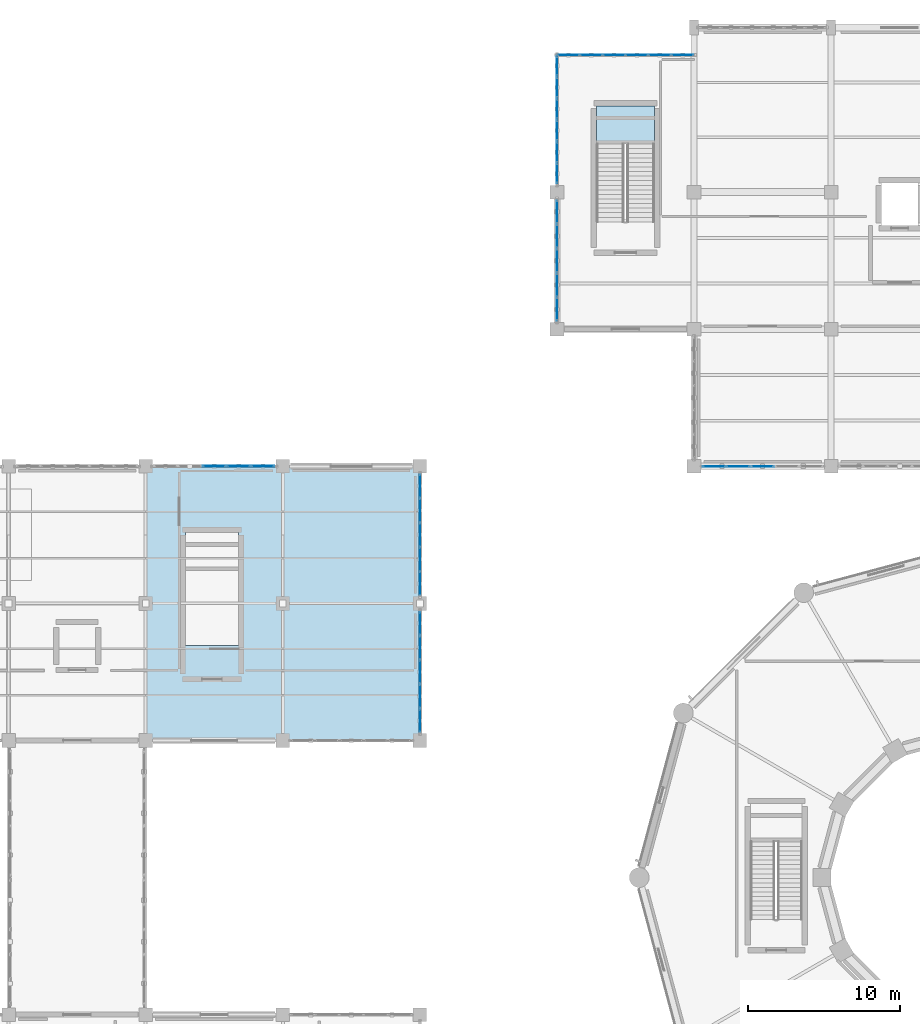
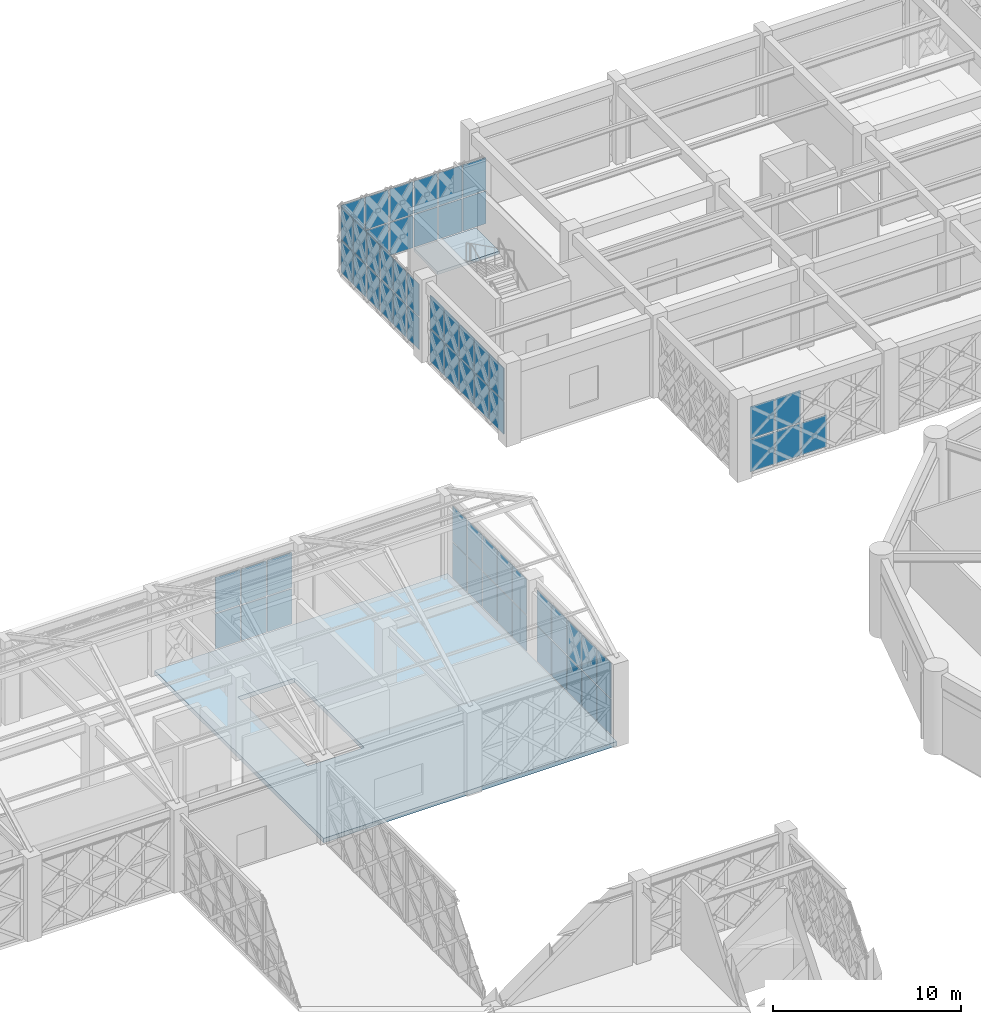
# One storey, part 131 of 166: 65 plates, 2 slabs, 8 elements without a shape of their own.
"""IFC4 building model written with IfcOpenShell, lengths in metres."""

from ifc_helpers import new_model, si_unit, direction, frame, origin, origin_2d, place, context, subcontext, project, spatial, polyline, rectangle, outline, extrude, material, layer, layer_set, type_object, element, aggregate, save


model = new_model("IFC4")

# Units and contexts
model_context = context("Model", 3, precision=1e-05, world=origin(), true_north=direction((0.0, 1.0)))
body_context = subcontext(model_context, "Body", "Model", "MODEL_VIEW")
ifc_project = project(units=[si_unit("LENGTHUNIT", "METRE"), si_unit("AREAUNIT", "SQUARE_METRE"), si_unit("VOLUMEUNIT", "CUBIC_METRE"), si_unit("PLANEANGLEUNIT", "RADIAN"), si_unit("MASSUNIT", "GRAM", prefix="KILO")], contexts=[model_context])

# Site, building, storey
site_placement = place(None, origin())
site = spatial("IfcSite", under=ifc_project, at=site_placement, CompositionType="ELEMENT")
building_placement = place(site_placement, origin())
building = spatial("IfcBuilding", under=site, at=building_placement, Name="Haizhuo Lancet Aquarium", CompositionType="ELEMENT")
storey_placement = place(building_placement, frame((0.0, 0.0, 5.39990234375)))
storey = spatial("IfcBuildingStorey", under=building, at=storey_placement, Name="L01", CompositionType="ELEMENT", Elevation=5.39990234375)

# Curtain wall, plates
ifc_material_1 = material(Name="Aluminium 6063-T6", Category="aluminium")
curtain_wall_type_1 = type_object("IfcCurtainWallType", Name="CWD-8010x4800", PredefinedType="NOTDEFINED", material=ifc_material_1)
curtain_wall_1_placement = place(storey_placement, origin())
curtain_wall_1 = element("IfcCurtainWall", 1, at=curtain_wall_1_placement, inside=storey, type_object=curtain_wall_type_1, Name="L01 curtain wall CW-V2-L01-025", PredefinedType="NOTDEFINED")
ifc_material_2 = material(Name="Laminated Low-E Glass", Category="glass")
ifc_layer_1 = layer(ifc_material_2, 0.028076171875)
ifc_layer_set_1 = layer_set([ifc_layer_1], Name="Laminated Low-E Glass")
plate_type_1 = type_object("IfcPlateType", Name="CW-PNL-1", PredefinedType="CURTAIN_PANEL", material=ifc_layer_set_1)
plate_1_placement = place(storey_placement, frame((-36.0, 25.68798828125, 0.064453125), z_axis=(0.0, 0.0, 1.0), x_axis=(0.0, -1.0, 0.0)))
plate_1 = element("IfcPlate", 2, at=plate_1_placement, type_object=plate_type_1, Name="CWD-80x48 panel 1.1", PredefinedType="CURTAIN_PANEL", context=body_context, shape_type="SweptSolid", body=[
    extrude(rectangle(XDim=1.50390625, YDim=0.028076171875, at=origin_2d()), origin(), (0.0, 0.0, 1.0), 2.302978515625),
])
plate_2_placement = place(storey_placement, frame((-36.0, 25.68798828125, 2.43310546875), z_axis=(0.0, 0.0, 1.0), x_axis=(0.0, -1.0, 0.0)))
plate_2 = element("IfcPlate", 3, at=plate_2_placement, type_object=plate_type_1, Name="CWD-80x48 panel 1.2", PredefinedType="CURTAIN_PANEL", context=body_context, shape_type="SweptSolid", body=[
    extrude(rectangle(XDim=1.50390625, YDim=0.028076171875, at=origin_2d()), origin(), (0.0, 0.0, 1.0), 2.302001953125),
])
plate_3_placement = place(storey_placement, frame((-36.0, 24.10205078125, 0.064453125), z_axis=(0.0, 0.0, 1.0), x_axis=(0.0, -1.0, 0.0)))
plate_3 = element("IfcPlate", 4, at=plate_3_placement, type_object=plate_type_1, Name="CWD-80x48 panel 2.1", PredefinedType="CURTAIN_PANEL", context=body_context, shape_type="SweptSolid", body=[
    extrude(rectangle(XDim=1.537109375, YDim=0.028076171875, at=origin_2d()), origin(), (0.0, 0.0, 1.0), 2.302978515625),
])
plate_4_placement = place(storey_placement, frame((-36.0, 24.10205078125, 2.43310546875), z_axis=(0.0, 0.0, 1.0), x_axis=(0.0, -1.0, 0.0)))
plate_4 = element("IfcPlate", 5, at=plate_4_placement, type_object=plate_type_1, Name="CWD-80x48 panel 2.2", PredefinedType="CURTAIN_PANEL", context=body_context, shape_type="SweptSolid", body=[
    extrude(rectangle(XDim=1.537109375, YDim=0.028076171875, at=origin_2d()), origin(), (0.0, 0.0, 1.0), 2.302001953125),
])
plate_5_placement = place(storey_placement, frame((-36.0, 22.5, 0.064453125), z_axis=(0.0, 0.0, 1.0), x_axis=(0.0, -1.0, 0.0)))
plate_5 = element("IfcPlate", 6, at=plate_5_placement, type_object=plate_type_1, Name="CWD-80x48 panel 3.1", PredefinedType="CURTAIN_PANEL", context=body_context, shape_type="SweptSolid", body=[
    extrude(rectangle(XDim=1.537109375, YDim=0.028076171875, at=origin_2d()), origin(), (0.0, 0.0, 1.0), 2.302978515625),
])
plate_6_placement = place(storey_placement, frame((-36.0, 22.5, 2.43310546875), z_axis=(0.0, 0.0, 1.0), x_axis=(0.0, -1.0, 0.0)))
plate_6 = element("IfcPlate", 7, at=plate_6_placement, type_object=plate_type_1, Name="CWD-80x48 panel 3.2", PredefinedType="CURTAIN_PANEL", context=body_context, shape_type="SweptSolid", body=[
    extrude(rectangle(XDim=1.537109375, YDim=0.028076171875, at=origin_2d()), origin(), (0.0, 0.0, 1.0), 2.302001953125),
])
plate_7_placement = place(storey_placement, frame((-36.0, 20.89794921875, 0.064453125), z_axis=(0.0, 0.0, 1.0), x_axis=(0.0, -1.0, 0.0)))
plate_7 = element("IfcPlate", 8, at=plate_7_placement, type_object=plate_type_1, Name="CWD-80x48 panel 4.1", PredefinedType="CURTAIN_PANEL", context=body_context, shape_type="SweptSolid", body=[
    extrude(rectangle(XDim=1.537109375, YDim=0.028076171875, at=origin_2d()), origin(), (0.0, 0.0, 1.0), 2.302978515625),
])
plate_8_placement = place(storey_placement, frame((-36.0, 20.89794921875, 2.43310546875), z_axis=(0.0, 0.0, 1.0), x_axis=(0.0, -1.0, 0.0)))
plate_8 = element("IfcPlate", 9, at=plate_8_placement, type_object=plate_type_1, Name="CWD-80x48 panel 4.2", PredefinedType="CURTAIN_PANEL", context=body_context, shape_type="SweptSolid", body=[
    extrude(rectangle(XDim=1.537109375, YDim=0.028076171875, at=origin_2d()), origin(), (0.0, 0.0, 1.0), 2.302001953125),
])
plate_9_placement = place(storey_placement, frame((-36.0, 19.31201171875, 0.064453125), z_axis=(0.0, 0.0, 1.0), x_axis=(0.0, -1.0, 0.0)))
plate_9 = element("IfcPlate", 10, at=plate_9_placement, type_object=plate_type_1, Name="CWD-80x48 panel 5.1", PredefinedType="CURTAIN_PANEL", context=body_context, shape_type="SweptSolid", body=[
    extrude(rectangle(XDim=1.5048828125, YDim=0.028076171875, at=origin_2d()), origin(), (0.0, 0.0, 1.0), 2.302978515625),
])
plate_10_placement = place(storey_placement, frame((-36.0, 19.31201171875, 2.43310546875), z_axis=(0.0, 0.0, 1.0), x_axis=(0.0, -1.0, 0.0)))
plate_10 = element("IfcPlate", 11, at=plate_10_placement, type_object=plate_type_1, Name="CWD-80x48 panel 5.2", PredefinedType="CURTAIN_PANEL", context=body_context, shape_type="SweptSolid", body=[
    extrude(rectangle(XDim=1.5048828125, YDim=0.028076171875, at=origin_2d()), origin(), (0.0, 0.0, 1.0), 2.302001953125),
])
aggregate(curtain_wall_1, [plate_1, plate_2, plate_3, plate_4, plate_5, plate_6, plate_7, plate_8, plate_9, plate_10])

curtain_wall_type_2 = type_object("IfcCurtainWallType", Name="CWD-8510x4420", PredefinedType="NOTDEFINED", material=ifc_material_1)
curtain_wall_2_placement = place(storey_placement, origin())
curtain_wall_2 = element("IfcCurtainWall", 12, at=curtain_wall_2_placement, inside=storey, type_object=curtain_wall_type_2, Name="L01 curtain wall CW-V5-L01-129", PredefinedType="NOTDEFINED")
plate_11_placement = place(storey_placement, frame((-27.0, 46.22412109375, 0.080078125), z_axis=(0.0, 0.0, 1.0), x_axis=(0.0, 1.0, 0.0)))
plate_11 = element("IfcPlate", 13, at=plate_11_placement, type_object=plate_type_1, Name="CWD-85x44 panel 1.1", PredefinedType="CURTAIN_PANEL", context=body_context, shape_type="SweptSolid", body=[
    extrude(rectangle(XDim=1.298095703125, YDim=0.028076171875, at=origin_2d()), origin(), (0.0, 0.0, 1.0), 2.092041015625),
])
plate_12_placement = place(storey_placement, frame((-27.0, 46.22412109375, 2.25244140625), z_axis=(0.0, 0.0, 1.0), x_axis=(0.0, 1.0, 0.0)))
plate_12 = element("IfcPlate", 14, at=plate_12_placement, type_object=plate_type_1, Name="CWD-85x44 panel 1.2", PredefinedType="CURTAIN_PANEL", context=body_context, shape_type="SweptSolid", body=[
    extrude(rectangle(XDim=1.298095703125, YDim=0.028076171875, at=origin_2d()), origin(), (0.0, 0.0, 1.0), 2.093017578125),
])
plate_13_placement = place(storey_placement, frame((-27.0, 47.62109375, 0.080078125), z_axis=(0.0, 0.0, 1.0), x_axis=(0.0, 1.0, 0.0)))
plate_13 = element("IfcPlate", 15, at=plate_13_placement, type_object=plate_type_1, Name="CWD-85x44 panel 2.1", PredefinedType="CURTAIN_PANEL", context=body_context, shape_type="SweptSolid", body=[
    extrude(rectangle(XDim=1.337890625, YDim=0.028076171875, at=origin_2d()), origin(), (0.0, 0.0, 1.0), 2.092041015625),
])
plate_14_placement = place(storey_placement, frame((-27.0, 47.62109375, 2.25244140625), z_axis=(0.0, 0.0, 1.0), x_axis=(0.0, 1.0, 0.0)))
plate_14 = element("IfcPlate", 16, at=plate_14_placement, type_object=plate_type_1, Name="CWD-85x44 panel 2.2", PredefinedType="CURTAIN_PANEL", context=body_context, shape_type="SweptSolid", body=[
    extrude(rectangle(XDim=1.337890625, YDim=0.028076171875, at=origin_2d()), origin(), (0.0, 0.0, 1.0), 2.093017578125),
])
plate_15_placement = place(storey_placement, frame((-27.0, 49.0390625, 0.080078125), z_axis=(0.0, 0.0, 1.0), x_axis=(0.0, 1.0, 0.0)))
plate_15 = element("IfcPlate", 17, at=plate_15_placement, type_object=plate_type_1, Name="CWD-85x44 panel 3.1", PredefinedType="CURTAIN_PANEL", context=body_context, shape_type="SweptSolid", body=[
    extrude(rectangle(XDim=1.337890625, YDim=0.028076171875, at=origin_2d()), origin(), (0.0, 0.0, 1.0), 2.092041015625),
])
plate_16_placement = place(storey_placement, frame((-27.0, 49.0390625, 2.25244140625), z_axis=(0.0, 0.0, 1.0), x_axis=(0.0, 1.0, 0.0)))
plate_16 = element("IfcPlate", 18, at=plate_16_placement, type_object=plate_type_1, Name="CWD-85x44 panel 3.2", PredefinedType="CURTAIN_PANEL", context=body_context, shape_type="SweptSolid", body=[
    extrude(rectangle(XDim=1.337890625, YDim=0.028076171875, at=origin_2d()), origin(), (0.0, 0.0, 1.0), 2.093017578125),
])
plate_17_placement = place(storey_placement, frame((-27.0, 50.4560546875, 0.080078125), z_axis=(0.0, 0.0, 1.0), x_axis=(0.0, 1.0, 0.0)))
plate_17 = element("IfcPlate", 19, at=plate_17_placement, type_object=plate_type_1, Name="CWD-85x44 panel 4.1", PredefinedType="CURTAIN_PANEL", context=body_context, shape_type="SweptSolid", body=[
    extrude(rectangle(XDim=1.337890625, YDim=0.028076171875, at=origin_2d()), origin(), (0.0, 0.0, 1.0), 2.092041015625),
])
plate_18_placement = place(storey_placement, frame((-27.0, 50.4560546875, 2.25244140625), z_axis=(0.0, 0.0, 1.0), x_axis=(0.0, 1.0, 0.0)))
plate_18 = element("IfcPlate", 20, at=plate_18_placement, type_object=plate_type_1, Name="CWD-85x44 panel 4.2", PredefinedType="CURTAIN_PANEL", context=body_context, shape_type="SweptSolid", body=[
    extrude(rectangle(XDim=1.337890625, YDim=0.028076171875, at=origin_2d()), origin(), (0.0, 0.0, 1.0), 2.093017578125),
])
plate_19_placement = place(storey_placement, frame((-27.0, 51.8740234375, 0.080078125), z_axis=(0.0, 0.0, 1.0), x_axis=(0.0, 1.0, 0.0)))
plate_19 = element("IfcPlate", 21, at=plate_19_placement, type_object=plate_type_1, Name="CWD-85x44 panel 5.1", PredefinedType="CURTAIN_PANEL", context=body_context, shape_type="SweptSolid", body=[
    extrude(rectangle(XDim=1.337890625, YDim=0.028076171875, at=origin_2d()), origin(), (0.0, 0.0, 1.0), 2.092041015625),
])
plate_20_placement = place(storey_placement, frame((-27.0, 51.8740234375, 2.25244140625), z_axis=(0.0, 0.0, 1.0), x_axis=(0.0, 1.0, 0.0)))
plate_20 = element("IfcPlate", 22, at=plate_20_placement, type_object=plate_type_1, Name="CWD-85x44 panel 5.2", PredefinedType="CURTAIN_PANEL", context=body_context, shape_type="SweptSolid", body=[
    extrude(rectangle(XDim=1.337890625, YDim=0.028076171875, at=origin_2d()), origin(), (0.0, 0.0, 1.0), 2.093017578125),
])
plate_21_placement = place(storey_placement, frame((-27.0, 53.27099609375, 0.080078125), z_axis=(0.0, 0.0, 1.0), x_axis=(0.0, 1.0, 0.0)))
plate_21 = element("IfcPlate", 23, at=plate_21_placement, type_object=plate_type_1, Name="CWD-85x44 panel 6.1", PredefinedType="CURTAIN_PANEL", context=body_context, shape_type="SweptSolid", body=[
    extrude(rectangle(XDim=1.298095703125, YDim=0.028076171875, at=origin_2d()), origin(), (0.0, 0.0, 1.0), 2.092041015625),
])
plate_22_placement = place(storey_placement, frame((-27.0, 53.27099609375, 2.25244140625), z_axis=(0.0, 0.0, 1.0), x_axis=(0.0, 1.0, 0.0)))
plate_22 = element("IfcPlate", 24, at=plate_22_placement, type_object=plate_type_1, Name="CWD-85x44 panel 6.2", PredefinedType="CURTAIN_PANEL", context=body_context, shape_type="SweptSolid", body=[
    extrude(rectangle(XDim=1.298095703125, YDim=0.028076171875, at=origin_2d()), origin(), (0.0, 0.0, 1.0), 2.093017578125),
])
aggregate(curtain_wall_2, [plate_11, plate_12, plate_13, plate_14, plate_15, plate_16, plate_17, plate_18, plate_19, plate_20, plate_21, plate_22])

curtain_wall_type_3 = type_object("IfcCurtainWallType", Name="CWO-8010x4390", PredefinedType="NOTDEFINED", material=ifc_material_1)
curtain_wall_3_placement = place(storey_placement, origin())
curtain_wall_3 = element("IfcCurtainWall", 25, at=curtain_wall_3_placement, inside=storey, type_object=curtain_wall_type_3, Name="L01 curtain wall CW-V5-L01-141", PredefinedType="NOTDEFINED")
plate_23_placement = place(storey_placement, frame((-13.5, 27.0, 0.08056640625), z_axis=(0.0, 0.0, 1.0), x_axis=(-1.0, 0.0, 0.0)))
plate_23 = element("IfcPlate", 26, at=plate_23_placement, type_object=plate_type_1, Name="CWO-80x43 panel 3.1", PredefinedType="CURTAIN_PANEL", context=body_context, shape_type="SweptSolid", body=[
    extrude(rectangle(XDim=1.52197265625, YDim=0.028076171875, at=origin_2d()), origin(), (0.0, 0.0, 1.0), 2.074951171875),
])
plate_24_placement = place(storey_placement, frame((-15.10205078125, 27.0, 0.08056640625), z_axis=(0.0, 0.0, 1.0), x_axis=(-1.0, 0.0, 0.0)))
plate_24 = element("IfcPlate", 27, at=plate_24_placement, type_object=plate_type_1, Name="CWO-80x43 panel 4.1", PredefinedType="CURTAIN_PANEL", context=body_context, shape_type="SweptSolid", body=[
    extrude(rectangle(XDim=1.52197265625, YDim=0.028076171875, at=origin_2d()), origin(), (0.0, 0.0, 1.0), 2.074951171875),
])
plate_25_placement = place(storey_placement, frame((-15.10205078125, 27.0, 2.23486328125), z_axis=(0.0, 0.0, 1.0), x_axis=(-1.0, 0.0, 0.0)))
plate_25 = element("IfcPlate", 28, at=plate_25_placement, type_object=plate_type_1, Name="CWO-80x43 panel 4.2", PredefinedType="CURTAIN_PANEL", context=body_context, shape_type="SweptSolid", body=[
    extrude(rectangle(XDim=1.52197265625, YDim=0.028076171875, at=origin_2d()), origin(), (0.0, 0.0, 1.0), 2.074951171875),
])
plate_26_placement = place(storey_placement, frame((-16.68408203125, 27.0, 0.08056640625), z_axis=(0.0, 0.0, 1.0), x_axis=(-1.0, 0.0, 0.0)))
plate_26 = element("IfcPlate", 29, at=plate_26_placement, type_object=plate_type_1, Name="CWO-80x43 panel 5.1", PredefinedType="CURTAIN_PANEL", context=body_context, shape_type="SweptSolid", body=[
    extrude(rectangle(XDim=1.48193359375, YDim=0.028076171875, at=origin_2d()), origin(), (0.0, 0.0, 1.0), 2.074951171875),
])
plate_27_placement = place(storey_placement, frame((-16.68408203125, 27.0, 2.23486328125), z_axis=(0.0, 0.0, 1.0), x_axis=(-1.0, 0.0, 0.0)))
plate_27 = element("IfcPlate", 30, at=plate_27_placement, type_object=plate_type_1, Name="CWO-80x43 panel 5.2", PredefinedType="CURTAIN_PANEL", context=body_context, shape_type="SweptSolid", body=[
    extrude(rectangle(XDim=1.48193359375, YDim=0.028076171875, at=origin_2d()), origin(), (0.0, 0.0, 1.0), 2.074951171875),
])
aggregate(curtain_wall_3, [plate_23, plate_24, plate_25, plate_26, plate_27])

curtain_wall_4_placement = place(storey_placement, origin())
curtain_wall_4 = element("IfcCurtainWall", 31, at=curtain_wall_4_placement, inside=storey, type_object=curtain_wall_type_1, Name="L01 curtain wall CW-V2-L01-026", PredefinedType="NOTDEFINED")
ifc_layer_2 = layer(ifc_material_2, 0.033935546875)
ifc_layer_set_2 = layer_set([ifc_layer_2], Name="Laminated Low-E Glass")
plate_type_2 = type_object("IfcPlateType", Name="CW-PNL-2", PredefinedType="CURTAIN_PANEL", material=ifc_layer_set_2)
plate_28_placement = place(storey_placement, frame((-36.0, 16.68505859375, 0.074951171875), z_axis=(0.0, 0.0, 1.0), x_axis=(0.0, -1.0, 0.0)))
plate_28 = element("IfcPlate", 32, at=plate_28_placement, type_object=plate_type_2, Name="CWD-80x48 panel 1.1", PredefinedType="CURTAIN_PANEL", context=body_context, shape_type="SweptSolid", body=[
    extrude(rectangle(XDim=1.489013671875, YDim=0.033935546875, at=origin_2d()), origin(), (0.0, 0.0, 1.0), 2.2880859375),
])
plate_29_placement = place(storey_placement, frame((-36.0, 16.68505859375, 2.43701171875), z_axis=(0.0, 0.0, 1.0), x_axis=(0.0, -1.0, 0.0)))
plate_29 = element("IfcPlate", 33, at=plate_29_placement, type_object=plate_type_2, Name="CWD-80x48 panel 1.2", PredefinedType="CURTAIN_PANEL", context=body_context, shape_type="SweptSolid", body=[
    extrude(rectangle(XDim=1.489013671875, YDim=0.033935546875, at=origin_2d()), origin(), (0.0, 0.0, 1.0), 2.2880859375),
])
plate_30_placement = place(storey_placement, frame((-36.0, 15.10205078125, 0.074951171875), z_axis=(0.0, 0.0, 1.0), x_axis=(0.0, -1.0, 0.0)))
plate_30 = element("IfcPlate", 34, at=plate_30_placement, type_object=plate_type_2, Name="CWD-80x48 panel 2.1", PredefinedType="CURTAIN_PANEL", context=body_context, shape_type="SweptSolid", body=[
    extrude(rectangle(XDim=1.527099609375, YDim=0.033935546875, at=origin_2d()), origin(), (0.0, 0.0, 1.0), 2.2880859375),
])
plate_31_placement = place(storey_placement, frame((-36.0, 15.10205078125, 2.43701171875), z_axis=(0.0, 0.0, 1.0), x_axis=(0.0, -1.0, 0.0)))
plate_31 = element("IfcPlate", 35, at=plate_31_placement, type_object=plate_type_2, Name="CWD-80x48 panel 2.2", PredefinedType="CURTAIN_PANEL", context=body_context, shape_type="SweptSolid", body=[
    extrude(rectangle(XDim=1.527099609375, YDim=0.033935546875, at=origin_2d()), origin(), (0.0, 0.0, 1.0), 2.2880859375),
])
plate_32_placement = place(storey_placement, frame((-36.0, 13.5, 0.074951171875), z_axis=(0.0, 0.0, 1.0), x_axis=(0.0, -1.0, 0.0)))
plate_32 = element("IfcPlate", 36, at=plate_32_placement, type_object=plate_type_2, Name="CWD-80x48 panel 3.1", PredefinedType="CURTAIN_PANEL", context=body_context, shape_type="SweptSolid", body=[
    extrude(rectangle(XDim=1.527099609375, YDim=0.033935546875, at=origin_2d()), origin(), (0.0, 0.0, 1.0), 2.2880859375),
])
plate_33_placement = place(storey_placement, frame((-36.0, 13.5, 2.43701171875), z_axis=(0.0, 0.0, 1.0), x_axis=(0.0, -1.0, 0.0)))
plate_33 = element("IfcPlate", 37, at=plate_33_placement, type_object=plate_type_2, Name="CWD-80x48 panel 3.2", PredefinedType="CURTAIN_PANEL", context=body_context, shape_type="SweptSolid", body=[
    extrude(rectangle(XDim=1.527099609375, YDim=0.033935546875, at=origin_2d()), origin(), (0.0, 0.0, 1.0), 2.2880859375),
])
plate_34_placement = place(storey_placement, frame((-36.0, 11.89794921875, 0.074951171875), z_axis=(0.0, 0.0, 1.0), x_axis=(0.0, -1.0, 0.0)))
plate_34 = element("IfcPlate", 38, at=plate_34_placement, type_object=plate_type_2, Name="CWD-80x48 panel 4.1", PredefinedType="CURTAIN_PANEL", context=body_context, shape_type="SweptSolid", body=[
    extrude(rectangle(XDim=1.527099609375, YDim=0.033935546875, at=origin_2d()), origin(), (0.0, 0.0, 1.0), 2.2880859375),
])
plate_35_placement = place(storey_placement, frame((-36.0, 11.89794921875, 2.43701171875), z_axis=(0.0, 0.0, 1.0), x_axis=(0.0, -1.0, 0.0)))
plate_35 = element("IfcPlate", 39, at=plate_35_placement, type_object=plate_type_2, Name="CWD-80x48 panel 4.2", PredefinedType="CURTAIN_PANEL", context=body_context, shape_type="SweptSolid", body=[
    extrude(rectangle(XDim=1.527099609375, YDim=0.033935546875, at=origin_2d()), origin(), (0.0, 0.0, 1.0), 2.2880859375),
])
plate_36_placement = place(storey_placement, frame((-36.0, 10.31494140625, 0.074951171875), z_axis=(0.0, 0.0, 1.0), x_axis=(0.0, -1.0, 0.0)))
plate_36 = element("IfcPlate", 40, at=plate_36_placement, type_object=plate_type_2, Name="CWD-80x48 panel 5.1", PredefinedType="CURTAIN_PANEL", context=body_context, shape_type="SweptSolid", body=[
    extrude(rectangle(XDim=1.489990234375, YDim=0.033935546875, at=origin_2d()), origin(), (0.0, 0.0, 1.0), 2.2880859375),
])
plate_37_placement = place(storey_placement, frame((-36.0, 10.31494140625, 2.43701171875), z_axis=(0.0, 0.0, 1.0), x_axis=(0.0, -1.0, 0.0)))
plate_37 = element("IfcPlate", 41, at=plate_37_placement, type_object=plate_type_2, Name="CWD-80x48 panel 5.2", PredefinedType="CURTAIN_PANEL", context=body_context, shape_type="SweptSolid", body=[
    extrude(rectangle(XDim=1.489990234375, YDim=0.033935546875, at=origin_2d()), origin(), (0.0, 0.0, 1.0), 2.2880859375),
])
aggregate(curtain_wall_4, [plate_28, plate_29, plate_30, plate_31, plate_32, plate_33, plate_34, plate_35, plate_36, plate_37])

curtain_wall_type_4 = type_object("IfcCurtainWallType", Name="CWD-9000x4420", PredefinedType="NOTDEFINED", material=ifc_material_1)
curtain_wall_5_placement = place(storey_placement, origin())
curtain_wall_5 = element("IfcCurtainWall", 42, at=curtain_wall_5_placement, inside=storey, type_object=curtain_wall_type_4, Name="L01 curtain wall CW-V5-L01-130", PredefinedType="NOTDEFINED")
plate_38_placement = place(storey_placement, frame((-26.23388671875, 54.0, 0.064453125), z_axis=(0.0, 0.0, 1.0), x_axis=(1.0, 0.0, 0.0)))
plate_38 = element("IfcPlate", 43, at=plate_38_placement, type_object=plate_type_2, Name="CWD-90x44 panel 1.1", PredefinedType="CURTAIN_PANEL", context=body_context, shape_type="SweptSolid", body=[
    extrude(rectangle(XDim=1.403076171875, YDim=0.033935546875, at=origin_2d()), origin(), (0.0, 0.0, 1.0), 2.114990234375),
])
plate_39_placement = place(storey_placement, frame((-26.23388671875, 54.0, 2.24462890625), z_axis=(0.0, 0.0, 1.0), x_axis=(1.0, 0.0, 0.0)))
plate_39 = element("IfcPlate", 44, at=plate_39_placement, type_object=plate_type_2, Name="CWD-90x44 panel 1.2", PredefinedType="CURTAIN_PANEL", context=body_context, shape_type="SweptSolid", body=[
    extrude(rectangle(XDim=1.403076171875, YDim=0.033935546875, at=origin_2d()), origin(), (0.0, 0.0, 1.0), 2.114990234375),
])
plate_40_placement = place(storey_placement, frame((-24.75, 54.0, 0.064453125), z_axis=(0.0, 0.0, 1.0), x_axis=(1.0, 0.0, 0.0)))
plate_40 = element("IfcPlate", 45, at=plate_40_placement, type_object=plate_type_2, Name="CWD-90x44 panel 2.1", PredefinedType="CURTAIN_PANEL", context=body_context, shape_type="SweptSolid", body=[
    extrude(rectangle(XDim=1.43505859375, YDim=0.033935546875, at=origin_2d()), origin(), (0.0, 0.0, 1.0), 2.114990234375),
])
plate_41_placement = place(storey_placement, frame((-24.75, 54.0, 2.24462890625), z_axis=(0.0, 0.0, 1.0), x_axis=(1.0, 0.0, 0.0)))
plate_41 = element("IfcPlate", 46, at=plate_41_placement, type_object=plate_type_2, Name="CWD-90x44 panel 2.2", PredefinedType="CURTAIN_PANEL", context=body_context, shape_type="SweptSolid", body=[
    extrude(rectangle(XDim=1.43505859375, YDim=0.033935546875, at=origin_2d()), origin(), (0.0, 0.0, 1.0), 2.114990234375),
])
plate_42_placement = place(storey_placement, frame((-23.25, 54.0, 0.064453125), z_axis=(0.0, 0.0, 1.0), x_axis=(1.0, 0.0, 0.0)))
plate_42 = element("IfcPlate", 47, at=plate_42_placement, type_object=plate_type_2, Name="CWD-90x44 panel 3.1", PredefinedType="CURTAIN_PANEL", context=body_context, shape_type="SweptSolid", body=[
    extrude(rectangle(XDim=1.43505859375, YDim=0.033935546875, at=origin_2d()), origin(), (0.0, 0.0, 1.0), 2.114990234375),
])
plate_43_placement = place(storey_placement, frame((-23.25, 54.0, 2.24462890625), z_axis=(0.0, 0.0, 1.0), x_axis=(1.0, 0.0, 0.0)))
plate_43 = element("IfcPlate", 48, at=plate_43_placement, type_object=plate_type_2, Name="CWD-90x44 panel 3.2", PredefinedType="CURTAIN_PANEL", context=body_context, shape_type="SweptSolid", body=[
    extrude(rectangle(XDim=1.43505859375, YDim=0.033935546875, at=origin_2d()), origin(), (0.0, 0.0, 1.0), 2.114990234375),
])
plate_44_placement = place(storey_placement, frame((-21.75, 54.0, 0.064453125), z_axis=(0.0, 0.0, 1.0), x_axis=(1.0, 0.0, 0.0)))
plate_44 = element("IfcPlate", 49, at=plate_44_placement, type_object=plate_type_2, Name="CWD-90x44 panel 4.1", PredefinedType="CURTAIN_PANEL", context=body_context, shape_type="SweptSolid", body=[
    extrude(rectangle(XDim=1.43505859375, YDim=0.033935546875, at=origin_2d()), origin(), (0.0, 0.0, 1.0), 2.114990234375),
])
plate_45_placement = place(storey_placement, frame((-21.75, 54.0, 2.24462890625), z_axis=(0.0, 0.0, 1.0), x_axis=(1.0, 0.0, 0.0)))
plate_45 = element("IfcPlate", 50, at=plate_45_placement, type_object=plate_type_2, Name="CWD-90x44 panel 4.2", PredefinedType="CURTAIN_PANEL", context=body_context, shape_type="SweptSolid", body=[
    extrude(rectangle(XDim=1.43505859375, YDim=0.033935546875, at=origin_2d()), origin(), (0.0, 0.0, 1.0), 2.114990234375),
])
plate_46_placement = place(storey_placement, frame((-20.25, 54.0, 0.064453125), z_axis=(0.0, 0.0, 1.0), x_axis=(1.0, 0.0, 0.0)))
plate_46 = element("IfcPlate", 51, at=plate_46_placement, type_object=plate_type_2, Name="CWD-90x44 panel 5.1", PredefinedType="CURTAIN_PANEL", context=body_context, shape_type="SweptSolid", body=[
    extrude(rectangle(XDim=1.43505859375, YDim=0.033935546875, at=origin_2d()), origin(), (0.0, 0.0, 1.0), 2.114990234375),
])
plate_47_placement = place(storey_placement, frame((-20.25, 54.0, 2.24462890625), z_axis=(0.0, 0.0, 1.0), x_axis=(1.0, 0.0, 0.0)))
plate_47 = element("IfcPlate", 52, at=plate_47_placement, type_object=plate_type_2, Name="CWD-90x44 panel 5.2", PredefinedType="CURTAIN_PANEL", context=body_context, shape_type="SweptSolid", body=[
    extrude(rectangle(XDim=1.43505859375, YDim=0.033935546875, at=origin_2d()), origin(), (0.0, 0.0, 1.0), 2.114990234375),
])
plate_48_placement = place(storey_placement, frame((-18.76611328125, 54.0, 0.064453125), z_axis=(0.0, 0.0, 1.0), x_axis=(1.0, 0.0, 0.0)))
plate_48 = element("IfcPlate", 53, at=plate_48_placement, type_object=plate_type_2, Name="CWD-90x44 panel 6.1", PredefinedType="CURTAIN_PANEL", context=body_context, shape_type="SweptSolid", body=[
    extrude(rectangle(XDim=1.402099609375, YDim=0.033935546875, at=origin_2d()), origin(), (0.0, 0.0, 1.0), 2.114990234375),
])
plate_49_placement = place(storey_placement, frame((-18.76611328125, 54.0, 2.24462890625), z_axis=(0.0, 0.0, 1.0), x_axis=(1.0, 0.0, 0.0)))
plate_49 = element("IfcPlate", 54, at=plate_49_placement, type_object=plate_type_2, Name="CWD-90x44 panel 6.2", PredefinedType="CURTAIN_PANEL", context=body_context, shape_type="SweptSolid", body=[
    extrude(rectangle(XDim=1.402099609375, YDim=0.033935546875, at=origin_2d()), origin(), (0.0, 0.0, 1.0), 2.114990234375),
])
aggregate(curtain_wall_5, [plate_38, plate_39, plate_40, plate_41, plate_42, plate_43, plate_44, plate_45, plate_46, plate_47, plate_48, plate_49])

curtain_wall_6_placement = place(storey_placement, origin())
curtain_wall_6 = element("IfcCurtainWall", 55, at=curtain_wall_6_placement, inside=storey, type_object=curtain_wall_type_1, Name="L01 curtain wall CW-V2-L01-024", PredefinedType="NOTDEFINED")
ifc_layer_3 = layer(ifc_material_2, 0.052001953125)
ifc_layer_set_3 = layer_set([ifc_layer_3], Name="Laminated Low-E Glass")
plate_type_3 = type_object("IfcPlateType", Name="CW-PNL-4", PredefinedType="CURTAIN_PANEL", material=ifc_layer_set_3)
plate_50_placement = place(storey_placement, frame((-49.5, 27.0, 0.080078125), z_axis=(0.0, 0.0, 1.0), x_axis=(1.0, 0.0, 0.0)))
plate_50 = element("IfcPlate", 56, at=plate_50_placement, type_object=plate_type_3, Name="CWD-80x48 panel 3.1", PredefinedType="CURTAIN_PANEL", context=body_context, shape_type="SweptSolid", body=[
    extrude(rectangle(XDim=1.52197265625, YDim=0.052001953125, at=origin_2d()), origin(), (0.0, 0.0, 1.0), 2.280029296875),
])
plate_51_placement = place(storey_placement, frame((-49.5, 27.0, 2.43994140625), z_axis=(0.0, 0.0, 1.0), x_axis=(1.0, 0.0, 0.0)))
plate_51 = element("IfcPlate", 57, at=plate_51_placement, type_object=plate_type_3, Name="CWD-80x48 panel 3.2", PredefinedType="CURTAIN_PANEL", context=body_context, shape_type="SweptSolid", body=[
    extrude(rectangle(XDim=1.52197265625, YDim=0.052001953125, at=origin_2d()), origin(), (0.0, 0.0, 1.0), 2.280029296875),
])
plate_52_placement = place(storey_placement, frame((-47.89794921875, 27.0, 0.080078125), z_axis=(0.0, 0.0, 1.0), x_axis=(1.0, 0.0, 0.0)))
plate_52 = element("IfcPlate", 58, at=plate_52_placement, type_object=plate_type_3, Name="CWD-80x48 panel 4.1", PredefinedType="CURTAIN_PANEL", context=body_context, shape_type="SweptSolid", body=[
    extrude(rectangle(XDim=1.52197265625, YDim=0.052001953125, at=origin_2d()), origin(), (0.0, 0.0, 1.0), 2.280029296875),
])
plate_53_placement = place(storey_placement, frame((-47.89794921875, 27.0, 2.43994140625), z_axis=(0.0, 0.0, 1.0), x_axis=(1.0, 0.0, 0.0)))
plate_53 = element("IfcPlate", 59, at=plate_53_placement, type_object=plate_type_3, Name="CWD-80x48 panel 4.2", PredefinedType="CURTAIN_PANEL", context=body_context, shape_type="SweptSolid", body=[
    extrude(rectangle(XDim=1.52197265625, YDim=0.052001953125, at=origin_2d()), origin(), (0.0, 0.0, 1.0), 2.280029296875),
])
plate_54_placement = place(storey_placement, frame((-46.31591796875, 27.0, 0.080078125), z_axis=(0.0, 0.0, 1.0), x_axis=(1.0, 0.0, 0.0)))
plate_54 = element("IfcPlate", 60, at=plate_54_placement, type_object=plate_type_3, Name="CWD-80x48 panel 5.1", PredefinedType="CURTAIN_PANEL", context=body_context, shape_type="SweptSolid", body=[
    extrude(rectangle(XDim=1.48193359375, YDim=0.052001953125, at=origin_2d()), origin(), (0.0, 0.0, 1.0), 2.280029296875),
])
plate_55_placement = place(storey_placement, frame((-46.31591796875, 27.0, 2.43994140625), z_axis=(0.0, 0.0, 1.0), x_axis=(1.0, 0.0, 0.0)))
plate_55 = element("IfcPlate", 61, at=plate_55_placement, type_object=plate_type_3, Name="CWD-80x48 panel 5.2", PredefinedType="CURTAIN_PANEL", context=body_context, shape_type="SweptSolid", body=[
    extrude(rectangle(XDim=1.48193359375, YDim=0.052001953125, at=origin_2d()), origin(), (0.0, 0.0, 1.0), 2.280029296875),
])
aggregate(curtain_wall_6, [plate_50, plate_51, plate_52, plate_53, plate_54, plate_55])

curtain_wall_type_5 = type_object("IfcCurtainWallType", Name="CWD-8010x4440", PredefinedType="NOTDEFINED", material=ifc_material_1)
curtain_wall_7_placement = place(storey_placement, origin())
curtain_wall_7 = element("IfcCurtainWall", 62, at=curtain_wall_7_placement, inside=storey, type_object=curtain_wall_type_5, Name="L01 curtain wall CW-V5-L01-128", PredefinedType="NOTDEFINED")
plate_56_placement = place(storey_placement, frame((-27.0, 37.31494140625, 0.0751953125), z_axis=(0.0, 0.0, 1.0), x_axis=(0.0, 1.0, 0.0)))
plate_56 = element("IfcPlate", 63, at=plate_56_placement, type_object=plate_type_3, Name="CWD-80x44 panel 1.1", PredefinedType="CURTAIN_PANEL", context=body_context, shape_type="SweptSolid", body=[
    extrude(rectangle(XDim=1.489990234375, YDim=0.052001953125, at=origin_2d()), origin(), (0.0, 0.0, 1.0), 2.10791015625),
])
plate_57_placement = place(storey_placement, frame((-27.0, 37.31494140625, 2.257080078125), z_axis=(0.0, 0.0, 1.0), x_axis=(0.0, 1.0, 0.0)))
plate_57 = element("IfcPlate", 64, at=plate_57_placement, type_object=plate_type_3, Name="CWD-80x44 panel 1.2", PredefinedType="CURTAIN_PANEL", context=body_context, shape_type="SweptSolid", body=[
    extrude(rectangle(XDim=1.489990234375, YDim=0.052001953125, at=origin_2d()), origin(), (0.0, 0.0, 1.0), 2.10791015625),
])
plate_58_placement = place(storey_placement, frame((-27.0, 38.89794921875, 0.0751953125), z_axis=(0.0, 0.0, 1.0), x_axis=(0.0, 1.0, 0.0)))
plate_58 = element("IfcPlate", 65, at=plate_58_placement, type_object=plate_type_3, Name="CWD-80x44 panel 2.1", PredefinedType="CURTAIN_PANEL", context=body_context, shape_type="SweptSolid", body=[
    extrude(rectangle(XDim=1.527099609375, YDim=0.052001953125, at=origin_2d()), origin(), (0.0, 0.0, 1.0), 2.10791015625),
])
plate_59_placement = place(storey_placement, frame((-27.0, 38.89794921875, 2.257080078125), z_axis=(0.0, 0.0, 1.0), x_axis=(0.0, 1.0, 0.0)))
plate_59 = element("IfcPlate", 66, at=plate_59_placement, type_object=plate_type_3, Name="CWD-80x44 panel 2.2", PredefinedType="CURTAIN_PANEL", context=body_context, shape_type="SweptSolid", body=[
    extrude(rectangle(XDim=1.527099609375, YDim=0.052001953125, at=origin_2d()), origin(), (0.0, 0.0, 1.0), 2.10791015625),
])
plate_60_placement = place(storey_placement, frame((-27.0, 40.5, 0.0751953125), z_axis=(0.0, 0.0, 1.0), x_axis=(0.0, 1.0, 0.0)))
plate_60 = element("IfcPlate", 67, at=plate_60_placement, type_object=plate_type_3, Name="CWD-80x44 panel 3.1", PredefinedType="CURTAIN_PANEL", context=body_context, shape_type="SweptSolid", body=[
    extrude(rectangle(XDim=1.527099609375, YDim=0.052001953125, at=origin_2d()), origin(), (0.0, 0.0, 1.0), 2.10791015625),
])
plate_61_placement = place(storey_placement, frame((-27.0, 40.5, 2.257080078125), z_axis=(0.0, 0.0, 1.0), x_axis=(0.0, 1.0, 0.0)))
plate_61 = element("IfcPlate", 68, at=plate_61_placement, type_object=plate_type_3, Name="CWD-80x44 panel 3.2", PredefinedType="CURTAIN_PANEL", context=body_context, shape_type="SweptSolid", body=[
    extrude(rectangle(XDim=1.527099609375, YDim=0.052001953125, at=origin_2d()), origin(), (0.0, 0.0, 1.0), 2.10791015625),
])
plate_62_placement = place(storey_placement, frame((-27.0, 42.10205078125, 0.0751953125), z_axis=(0.0, 0.0, 1.0), x_axis=(0.0, 1.0, 0.0)))
plate_62 = element("IfcPlate", 69, at=plate_62_placement, type_object=plate_type_3, Name="CWD-80x44 panel 4.1", PredefinedType="CURTAIN_PANEL", context=body_context, shape_type="SweptSolid", body=[
    extrude(rectangle(XDim=1.527099609375, YDim=0.052001953125, at=origin_2d()), origin(), (0.0, 0.0, 1.0), 2.10791015625),
])
plate_63_placement = place(storey_placement, frame((-27.0, 42.10205078125, 2.257080078125), z_axis=(0.0, 0.0, 1.0), x_axis=(0.0, 1.0, 0.0)))
plate_63 = element("IfcPlate", 70, at=plate_63_placement, type_object=plate_type_3, Name="CWD-80x44 panel 4.2", PredefinedType="CURTAIN_PANEL", context=body_context, shape_type="SweptSolid", body=[
    extrude(rectangle(XDim=1.527099609375, YDim=0.052001953125, at=origin_2d()), origin(), (0.0, 0.0, 1.0), 2.10791015625),
])
plate_64_placement = place(storey_placement, frame((-27.0, 43.68505859375, 0.0751953125), z_axis=(0.0, 0.0, 1.0), x_axis=(0.0, 1.0, 0.0)))
plate_64 = element("IfcPlate", 71, at=plate_64_placement, type_object=plate_type_3, Name="CWD-80x44 panel 5.1", PredefinedType="CURTAIN_PANEL", context=body_context, shape_type="SweptSolid", body=[
    extrude(rectangle(XDim=1.489990234375, YDim=0.052001953125, at=origin_2d()), origin(), (0.0, 0.0, 1.0), 2.10791015625),
])
plate_65_placement = place(storey_placement, frame((-27.0, 43.68505859375, 2.257080078125), z_axis=(0.0, 0.0, 1.0), x_axis=(0.0, 1.0, 0.0)))
plate_65 = element("IfcPlate", 72, at=plate_65_placement, type_object=plate_type_3, Name="CWD-80x44 panel 5.2", PredefinedType="CURTAIN_PANEL", context=body_context, shape_type="SweptSolid", body=[
    extrude(rectangle(XDim=1.489990234375, YDim=0.052001953125, at=origin_2d()), origin(), (0.0, 0.0, 1.0), 2.10791015625),
])
aggregate(curtain_wall_7, [plate_56, plate_57, plate_58, plate_59, plate_60, plate_61, plate_62, plate_63, plate_64, plate_65])

# Slab
ifc_material_3 = material(Name="Concrete C40/50", Category="concrete")
ifc_layer_4 = layer(ifc_material_3, 0.280029296875)
ifc_layer_set_4 = layer_set([ifc_layer_4], Name="Concrete C40/50")
slab_type_1 = type_object("IfcSlabType", Name="SLB-HEAVY-280", PredefinedType="FLOOR", material=ifc_layer_set_4)
slab_1_placement = place(storey_placement, frame((0.0, 0.0, -0.27978515625)))
element("IfcSlab", 73, at=slab_1_placement, inside=storey, type_object=slab_type_1, Name="L01 structural slab SL-L01-V2-02", PredefinedType="FLOOR", context=body_context, shape_type="SweptSolid", body=[
    extrude(outline(polyline([(-54.0, 27.0), (-54.0, 9.0), (-36.0, 9.0), (-36.0, 27.0), (-54.0, 27.0)]), holes=[polyline([(-47.89990234375, 15.22998046875), (-47.89990234375, 22.64990234375), (-51.39990234375, 22.64990234375), (-51.39990234375, 15.22998046875), (-47.89990234375, 15.22998046875)])]), origin(), (0.0, 0.0, 1.0), 0.27978515625),
])

# Stair, slab
stair_type = type_object("IfcStairType", Name="STR-HT-1800-54", PredefinedType="HALF_TURN_STAIR", material=ifc_material_3)
stair_placement = place(storey_placement, origin())
stair = element("IfcStair", 74, at=stair_placement, inside=storey, type_object=stair_type, Name="L01 enclosed exit stair ST-07", PredefinedType="HALF_TURN_STAIR")
ifc_layer_5 = layer(ifc_material_3, 0.199951171875)
ifc_layer_set_5 = layer_set([ifc_layer_5], Name="Concrete C40/50")
slab_type_2 = type_object("IfcSlabType", Name="SLB-LND-1800", PredefinedType="LANDING", material=ifc_layer_set_5)
slab_2_placement = place(storey_placement, frame((0.0, 0.0, 2.5)))
slab_2 = element("IfcSlab", 75, at=slab_2_placement, type_object=slab_type_2, Name="ST-55 landing 1", PredefinedType="LANDING", context=body_context, shape_type="SweptSolid", body=[
    extrude(outline(polyline([(-20.60009765625, 48.14990234375), (-20.60009765625, 50.64990234375), (-24.39990234375, 50.64990234375), (-24.39990234375, 48.14990234375), (-20.60009765625, 48.14990234375)])), origin(), (0.0, 0.0, 1.0), 0.2001953125),
])
aggregate(stair, [slab_2])

save(model, "model.ifc")
